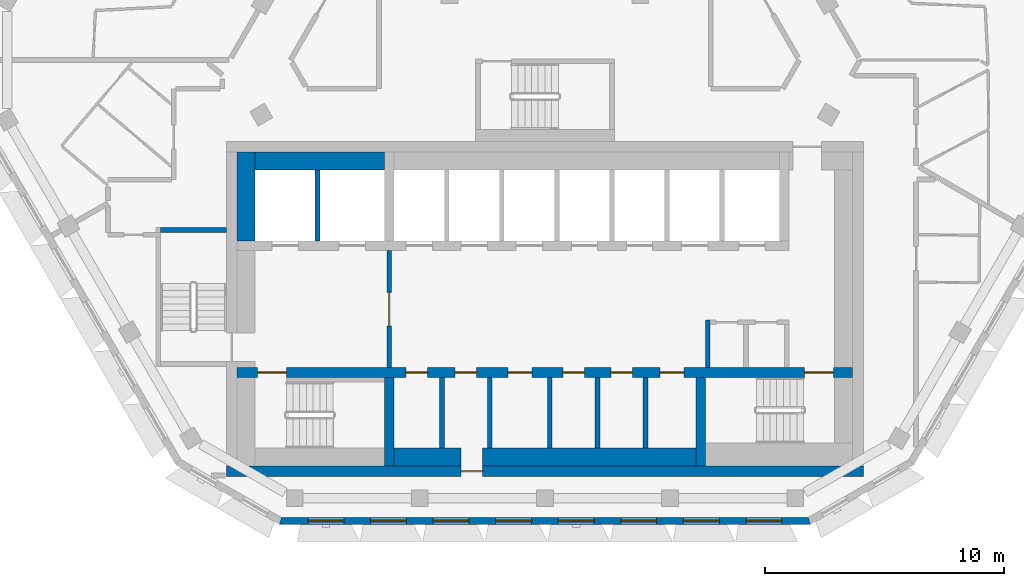
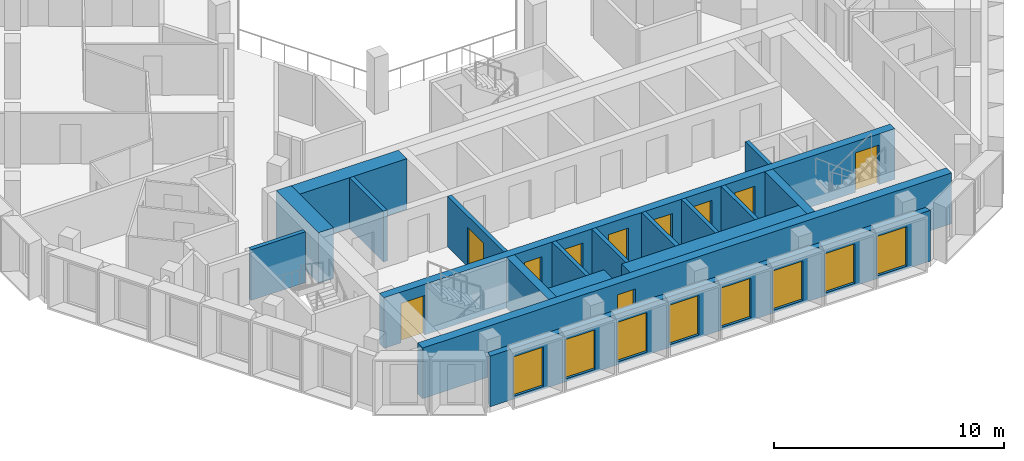
# One storey, part 3 of 16: 18 walls, 10 doors, 8 windows, 18 openings.
"""IFC4 building model written with IfcOpenShell, lengths in metres."""

import ifcopenshell
import ifcopenshell.guid

model = None  # the IFC model being written
_history = None  # IfcOwnerHistory: only IFC2X3 demands one
_inside = {}  # id of a spatial element -> (the spatial element, [elements in it])
_under = {}  # id of a project, library or spatial element -> (it, [spatial elements below it])
_declared = {}  # id of a project -> (the project, [libraries it declares])
_typed = {}  # id of a type object -> (the type object, [elements of that type])
_made_of = {}  # id of a material, layer set ... -> (it, [elements and type objects made of it])


def new_model(schema):
    """Start an empty IFC model of exactly this schema.

    Asked for "IFC4X3", IfcOpenShell would pick the latest addendum, in which some entities
    have other attributes; the version numbers below select the first issue.
    IFC2X3 requires an IfcOwnerHistory on every rooted entity: one is made here for all.
    """
    global model, _history
    if schema == "IFC4X3":
        model = ifcopenshell.file(schema_version=(4, 3, 0, 0))
    else:
        model = ifcopenshell.file(schema=schema)
    _inside.clear()
    _under.clear()
    _declared.clear()
    _typed.clear()
    _made_of.clear()
    _history = None
    if model.schema == "IFC2X3":
        org = make("IfcOrganization", Name="unknown")
        user = make(
            "IfcPersonAndOrganization",
            ThePerson=make("IfcPerson", FamilyName="unknown"),
            TheOrganization=org,
        )
        app = make(
            "IfcApplication",
            ApplicationDeveloper=org,
            Version="unknown",
            ApplicationFullName="unknown",
            ApplicationIdentifier="unknown",
        )
        _history = make(
            "IfcOwnerHistory",
            OwningUser=user,
            OwningApplication=app,
            ChangeAction="ADDED",
            CreationDate=0,
        )
    return model


def make(cls, **values):
    """One entity of the class cls with the attributes given. An attribute that is None is left unset."""
    return model.create_entity(
        cls, **{name: value for name, value in values.items() if value is not None}
    )


def rooted(cls, **values):
    """An entity with a GlobalId (a new one), such as an element, a storey or a relation."""
    return make(cls, GlobalId=ifcopenshell.guid.new(), OwnerHistory=_history, **values)


def si_unit(unit_type, name, prefix=None):
    """IfcSIUnit, for example si_unit("LENGTHUNIT", "METRE", prefix="MILLI")."""
    return make("IfcSIUnit", UnitType=unit_type, Prefix=prefix, Name=name)


def assignment(units):
    """IfcUnitAssignment: the units of a project."""
    return None if units is None else make("IfcUnitAssignment", Units=units)


def point(xyz):
    """IfcCartesianPoint."""
    return None if xyz is None else make("IfcCartesianPoint", Coordinates=xyz)


def direction(xyz):
    """IfcDirection."""
    return None if xyz is None else make("IfcDirection", DirectionRatios=xyz)


def frame(location, z_axis=None, x_axis=None):
    """IfcAxis2Placement3D, a coordinate frame: its origin and axes. An axis left out is left unset."""
    return make(
        "IfcAxis2Placement3D",
        Location=point(location),
        Axis=direction(z_axis),
        RefDirection=direction(x_axis),
    )


def frame_2d(location, x_axis=None):
    """IfcAxis2Placement2D, a coordinate frame in the plane: its origin and x axis."""
    return make(
        "IfcAxis2Placement2D", Location=point(location), RefDirection=direction(x_axis)
    )


def origin():
    """The frame at (0, 0, 0) with its axes left unset."""
    return frame((0.0, 0.0, 0.0))


def place(relative_to, where):
    """IfcLocalPlacement: puts the frame where relative to a parent placement (None: the world)."""
    return make(
        "IfcLocalPlacement", PlacementRelTo=relative_to, RelativePlacement=where
    )


def context(
    kind, dimensions, precision=None, world=None, true_north=None, identifier=None
):
    """IfcGeometricRepresentationContext, for example the 3D "Model" context."""
    return make(
        "IfcGeometricRepresentationContext",
        ContextIdentifier=identifier,
        ContextType=kind,
        CoordinateSpaceDimension=dimensions,
        Precision=precision,
        WorldCoordinateSystem=world,
        TrueNorth=true_north,
    )


def subcontext(parent, identifier, kind, view, scale=None):
    """IfcGeometricRepresentationSubContext, for example "Body" below "Model"."""
    return make(
        "IfcGeometricRepresentationSubContext",
        ContextIdentifier=identifier,
        ContextType=kind,
        ParentContext=parent,
        TargetScale=scale,
        TargetView=view,
    )


def project(units=None, contexts=None):
    """IfcProject with its units and contexts."""
    return rooted(
        "IfcProject",
        Name="project",
        RepresentationContexts=contexts,
        UnitsInContext=assignment(units),
    )


def spatial(cls, under=None, at=None, **own):
    """A site, building, storey or space (cls), placed at a placement, below another one or the project."""
    s = rooted(cls, ObjectPlacement=at, **own)
    if under is not None:
        _under.setdefault(under.id(), (under, []))[1].append(s)
    return s


def polyline(points):
    """IfcPolyline through the points."""
    return make("IfcPolyline", Points=[point(p) for p in points])


def profile(cls, at=None, kind="AREA", **sizes):
    """A parametric profile (cls). Its sizes go by their IFC names, for example OverallWidth=200.0."""
    return make(cls, ProfileType=kind, Position=at, **sizes)


def rectangle(**sizes):
    """IfcRectangleProfileDef."""
    return profile("IfcRectangleProfileDef", **sizes)


def outline(outer, holes=None, kind="AREA"):
    """IfcArbitraryClosedProfileDef: a profile drawn as a closed curve; with holes, ...WithVoids."""
    if holes is None:
        return make("IfcArbitraryClosedProfileDef", ProfileType=kind, OuterCurve=outer)
    return make(
        "IfcArbitraryProfileDefWithVoids",
        ProfileType=kind,
        OuterCurve=outer,
        InnerCurves=holes,
    )


def extrude(swept, where, along, depth):
    """IfcExtrudedAreaSolid: the profile swept, set in the frame where, extruded along a direction by depth."""
    return make(
        "IfcExtrudedAreaSolid",
        SweptArea=swept,
        Position=where,
        ExtrudedDirection=direction(along),
        Depth=depth,
    )


def shape(context_of_items, identifier, shape_type, items):
    """IfcShapeRepresentation: the items that make up one representation, for example the "Body"."""
    return make(
        "IfcShapeRepresentation",
        ContextOfItems=context_of_items,
        RepresentationIdentifier=identifier,
        RepresentationType=shape_type,
        Items=items,
    )


def material(Name=None, Category=None):
    """IfcMaterial."""
    return make("IfcMaterial", Name=Name, Category=Category)


def layer(
    of_material, thickness, ventilated=None, Name=None, Category=None, Priority=None
):
    """IfcMaterialLayer: one layer of a wall or slab, of a material (None: an air gap)."""
    return make(
        "IfcMaterialLayer",
        Material=of_material,
        LayerThickness=thickness,
        IsVentilated=ventilated,
        Name=Name,
        Category=Category,
        Priority=Priority,
    )


def layer_set(layers, Name=None):
    """IfcMaterialLayerSet."""
    return make("IfcMaterialLayerSet", MaterialLayers=layers, LayerSetName=Name)


def made_of(thing, what):
    """Note that an element or type object is made of a material, layer set ...; save() writes the relation."""
    if what is not None:
        _made_of.setdefault(what.id(), (what, []))[1].append(thing)
    return thing


def type_object(cls, material=None, **own):
    """A type object (cls), such as IfcWallType, which elements share."""
    return made_of(rooted(cls, **own), material)


def element(
    cls,
    number,
    at=None,
    inside=None,
    cuts=None,
    type_object=None,
    material=None,
    context=None,
    identifier="Body",
    shape_type=None,
    held_by="IfcProductDefinitionShape",
    body=None,
    shapes=None,
    **own,
):
    """One element of the class cls, such as IfcWall. Its Tag is "e" and its number.

    at: its placement. inside: the storey or other place that contains it. cuts: it is an
    opening in that element (IfcRelVoidsElement). A single representation is given by context,
    identifier, shape_type and body (its items); several are given by shapes. held_by: the class
    of the entity that holds the representations. save() writes the other relations.
    """
    e = rooted(cls, Tag="e%d" % number, ObjectPlacement=at, **own)
    if body is not None:
        shapes = [shape(context, identifier, shape_type, body)]
    if shapes is not None:
        e.Representation = make(held_by, Representations=shapes)
    if inside is not None:
        _inside.setdefault(inside.id(), (inside, []))[1].append(e)
    if cuts is not None:
        rooted(
            "IfcRelVoidsElement", RelatingBuildingElement=cuts, RelatedOpeningElement=e
        )
    if type_object is not None:
        _typed.setdefault(type_object.id(), (type_object, []))[1].append(e)
    return made_of(e, material)


def fill(opening, filler):
    """IfcRelFillsElement: the door or window that sits in an opening."""
    return rooted(
        "IfcRelFillsElement",
        RelatingOpeningElement=opening,
        RelatedBuildingElement=filler,
    )


def aggregate(whole, parts):
    """IfcRelAggregates: a whole, such as a stair, and the parts it consists of."""
    return rooted("IfcRelAggregates", RelatingObject=whole, RelatedObjects=parts)


def save(model, path):
    """Write the relations noted so far, then the file.

    IfcRelAggregates (storeys below a building ...), IfcRelContainedInSpatialStructure (elements
    in a storey), IfcRelDefinesByType, IfcRelAssociatesMaterial and IfcRelDeclares: one each for
    every whole, place, type object, material and project.
    """
    for whole, parts in _under.values():
        aggregate(whole, parts)
    for where, things in _inside.values():
        rooted(
            "IfcRelContainedInSpatialStructure",
            RelatedElements=things,
            RelatingStructure=where,
        )
    for kind, things in _typed.values():
        rooted("IfcRelDefinesByType", RelatedObjects=things, RelatingType=kind)
    for what, things in _made_of.values():
        rooted("IfcRelAssociatesMaterial", RelatedObjects=things, RelatingMaterial=what)
    for by, libraries in _declared.values():
        rooted("IfcRelDeclares", RelatingContext=by, RelatedDefinitions=libraries)
    model.write(path)


model = new_model("IFC4")

# Units and contexts
model_context = context("Model", 3, precision=1e-05, world=origin(), true_north=direction((0.0, 1.0)))
body_context = subcontext(model_context, "Body", "Model", "MODEL_VIEW")
ifc_project = project(units=[si_unit("LENGTHUNIT", "METRE"), si_unit("AREAUNIT", "SQUARE_METRE"), si_unit("VOLUMEUNIT", "CUBIC_METRE"), si_unit("PLANEANGLEUNIT", "RADIAN"), si_unit("MASSUNIT", "GRAM", prefix="KILO")], contexts=[model_context])

# Site, building, storey
site_placement = place(None, origin())
site = spatial("IfcSite", under=ifc_project, at=site_placement, CompositionType="ELEMENT")
building_placement = place(site_placement, origin())
building = spatial("IfcBuilding", under=site, at=building_placement, Name="Beryl Residences", CompositionType="ELEMENT")
storey_placement = place(building_placement, frame((0.0, 0.0, 226.800048828125)))
storey = spatial("IfcBuildingStorey", under=building, at=storey_placement, Name="L70", CompositionType="ELEMENT", Elevation=226.800048828125)

# Wall, openings, windows
ifc_material_1 = material(Name="Composite metal panel with mineral wool insulation")
ifc_layer_1 = layer(ifc_material_1, 0.300048828125)
ifc_layer_set_1 = layer_set([ifc_layer_1], Name="ES1 pale metal composite panel wall 300 mm")
wall_type_1 = type_object("IfcWallType", Name="ES1 pale metal composite panel wall 300 mm", PredefinedType="SOLIDWALL", material=ifc_layer_set_1)
wall_1_placement = place(storey_placement, frame((-11.0849609375, -20.85009765625, 0.0), z_axis=(0.0, 0.0, 1.0), x_axis=(1.0, 0.0, 0.0)))
wall_1 = element("IfcWall", 1, at=wall_1_placement, inside=storey, type_object=wall_type_1, Name="ES1 external wall L70 S", PredefinedType="SOLIDWALL", context=body_context, shape_type="SweptSolid", body=[
    extrude(outline(polyline([(0.0, -0.14990234375), (22.169921875, -0.14990234375), (22.089599609375, 0.14990234375), (0.080322265625, 0.14990234375), (0.0, -0.14990234375)])), origin(), (0.0, 0.0, 1.0), 2.699951171875),
])
opening_1_placement = place(wall_1_placement, frame((1.19091796875, 0.0, 0.14990234375)))
opening_1 = element("IfcOpeningElement", 2, at=opening_1_placement, cuts=wall_1, Name="Opening W1", PredefinedType="OPENING", context=body_context, shape_type="SweptSolid", body=[
    extrude(rectangle(XDim=1.5, YDim=2.10009765625, at=frame_2d((0.75, 1.050048828125))), frame((0.0, 0.159912109375, 0.0), z_axis=(0.0, -1.0, 0.0), x_axis=(1.0, 0.0, 0.0)), (0.0, 0.0, 1.0), 0.320068359375),
])
opening_2_placement = place(wall_1_placement, frame((3.803955078125, 0.0, 0.14990234375)))
opening_2 = element("IfcOpeningElement", 3, at=opening_2_placement, cuts=wall_1, Name="Opening W1", PredefinedType="OPENING", context=body_context, shape_type="SweptSolid", body=[
    extrude(rectangle(XDim=1.5, YDim=2.10009765625, at=frame_2d((0.75, 1.050048828125))), frame((0.0, 0.159912109375, 0.0), z_axis=(0.0, -1.0, 0.0), x_axis=(1.0, 0.0, 0.0)), (0.0, 0.0, 1.0), 0.320068359375),
])
opening_3_placement = place(wall_1_placement, frame((6.416015625, 0.0, 0.14990234375)))
opening_3 = element("IfcOpeningElement", 4, at=opening_3_placement, cuts=wall_1, Name="Opening W1", PredefinedType="OPENING", context=body_context, shape_type="SweptSolid", body=[
    extrude(rectangle(XDim=1.5, YDim=2.10009765625, at=frame_2d((0.75, 1.050048828125))), frame((0.0, 0.159912109375, 0.0), z_axis=(0.0, -1.0, 0.0), x_axis=(1.0, 0.0, 0.0)), (0.0, 0.0, 1.0), 0.320068359375),
])
opening_4_placement = place(wall_1_placement, frame((9.029052734375, 0.0, 0.14990234375)))
opening_4 = element("IfcOpeningElement", 5, at=opening_4_placement, cuts=wall_1, Name="Opening W1", PredefinedType="OPENING", context=body_context, shape_type="SweptSolid", body=[
    extrude(rectangle(XDim=1.5, YDim=2.10009765625, at=frame_2d((0.75, 1.050048828125))), frame((0.0, 0.159912109375, 0.0), z_axis=(0.0, -1.0, 0.0), x_axis=(1.0, 0.0, 0.0)), (0.0, 0.0, 1.0), 0.320068359375),
])
opening_5_placement = place(wall_1_placement, frame((11.64111328125, 0.0, 0.14990234375)))
opening_5 = element("IfcOpeningElement", 6, at=opening_5_placement, cuts=wall_1, Name="Opening W1", PredefinedType="OPENING", context=body_context, shape_type="SweptSolid", body=[
    extrude(rectangle(XDim=1.5, YDim=2.10009765625, at=frame_2d((0.75, 1.050048828125))), frame((0.0, 0.159912109375, 0.0), z_axis=(0.0, -1.0, 0.0), x_axis=(1.0, 0.0, 0.0)), (0.0, 0.0, 1.0), 0.320068359375),
])
opening_6_placement = place(wall_1_placement, frame((14.25390625, 0.0, 0.14990234375)))
opening_6 = element("IfcOpeningElement", 7, at=opening_6_placement, cuts=wall_1, Name="Opening W1", PredefinedType="OPENING", context=body_context, shape_type="SweptSolid", body=[
    extrude(rectangle(XDim=1.5, YDim=2.10009765625, at=frame_2d((0.75, 1.050048828125))), frame((0.0, 0.159912109375, 0.0), z_axis=(0.0, -1.0, 0.0), x_axis=(1.0, 0.0, 0.0)), (0.0, 0.0, 1.0), 0.320068359375),
])
opening_7_placement = place(wall_1_placement, frame((16.865966796875, 0.0, 0.14990234375)))
opening_7 = element("IfcOpeningElement", 8, at=opening_7_placement, cuts=wall_1, Name="Opening W1", PredefinedType="OPENING", context=body_context, shape_type="SweptSolid", body=[
    extrude(rectangle(XDim=1.5, YDim=2.10009765625, at=frame_2d((0.75, 1.050048828125))), frame((0.0, 0.159912109375, 0.0), z_axis=(0.0, -1.0, 0.0), x_axis=(1.0, 0.0, 0.0)), (0.0, 0.0, 1.0), 0.320068359375),
])
opening_8_placement = place(wall_1_placement, frame((19.47900390625, 0.0, 0.14990234375)))
opening_8 = element("IfcOpeningElement", 9, at=opening_8_placement, cuts=wall_1, Name="Opening W1", PredefinedType="OPENING", context=body_context, shape_type="SweptSolid", body=[
    extrude(rectangle(XDim=1.5, YDim=2.10009765625, at=frame_2d((0.75, 1.050048828125))), frame((0.0, 0.159912109375, 0.0), z_axis=(0.0, -1.0, 0.0), x_axis=(1.0, 0.0, 0.0)), (0.0, 0.0, 1.0), 0.320068359375),
])
ifc_material_2 = material(Name="Aluminium and clear glass", Category="aluminium")
window_type = type_object("IfcWindowType", Name="W1 cell window 1500 x 2100 mm", PartitioningType="SINGLE_PANEL", PredefinedType="WINDOW", material=ifc_material_2)
window_1_placement = place(opening_1_placement, origin())
window_1 = element("IfcWindow", 10, at=window_1_placement, inside=storey, type_object=window_type, Name="W1 window L70 S 1", OverallHeight=2.10009765625, OverallWidth=1.5, PartitioningType="SINGLE_PANEL", PredefinedType="WINDOW", context=body_context, shape_type="SweptSolid", body=[
    extrude(rectangle(XDim=1.5, YDim=2.10009765625, at=frame_2d((0.75, 1.050048828125))), frame((0.0, 0.030029296875, 0.0), z_axis=(0.0, -1.0, 0.0), x_axis=(1.0, 0.0, 0.0)), (0.0, 0.0, 1.0), 0.06005859375),
])
fill(opening_1, window_1)
window_2_placement = place(opening_2_placement, origin())
window_2 = element("IfcWindow", 11, at=window_2_placement, inside=storey, type_object=window_type, Name="W1 window L70 S 2", OverallHeight=2.10009765625, OverallWidth=1.5, PartitioningType="SINGLE_PANEL", PredefinedType="WINDOW", context=body_context, shape_type="SweptSolid", body=[
    extrude(rectangle(XDim=1.5, YDim=2.10009765625, at=frame_2d((0.75, 1.050048828125))), frame((0.0, 0.030029296875, 0.0), z_axis=(0.0, -1.0, 0.0), x_axis=(1.0, 0.0, 0.0)), (0.0, 0.0, 1.0), 0.06005859375),
])
fill(opening_2, window_2)
window_3_placement = place(opening_3_placement, origin())
window_3 = element("IfcWindow", 12, at=window_3_placement, inside=storey, type_object=window_type, Name="W1 window L70 S 3", OverallHeight=2.10009765625, OverallWidth=1.5, PartitioningType="SINGLE_PANEL", PredefinedType="WINDOW", context=body_context, shape_type="SweptSolid", body=[
    extrude(rectangle(XDim=1.5, YDim=2.10009765625, at=frame_2d((0.75, 1.050048828125))), frame((0.0, 0.030029296875, 0.0), z_axis=(0.0, -1.0, 0.0), x_axis=(1.0, 0.0, 0.0)), (0.0, 0.0, 1.0), 0.06005859375),
])
fill(opening_3, window_3)
window_4_placement = place(opening_4_placement, origin())
window_4 = element("IfcWindow", 13, at=window_4_placement, inside=storey, type_object=window_type, Name="W1 window L70 S 4", OverallHeight=2.10009765625, OverallWidth=1.5, PartitioningType="SINGLE_PANEL", PredefinedType="WINDOW", context=body_context, shape_type="SweptSolid", body=[
    extrude(rectangle(XDim=1.5, YDim=2.10009765625, at=frame_2d((0.75, 1.050048828125))), frame((0.0, 0.030029296875, 0.0), z_axis=(0.0, -1.0, 0.0), x_axis=(1.0, 0.0, 0.0)), (0.0, 0.0, 1.0), 0.06005859375),
])
fill(opening_4, window_4)
window_5_placement = place(opening_5_placement, origin())
window_5 = element("IfcWindow", 14, at=window_5_placement, inside=storey, type_object=window_type, Name="W1 window L70 S 5", OverallHeight=2.10009765625, OverallWidth=1.5, PartitioningType="SINGLE_PANEL", PredefinedType="WINDOW", context=body_context, shape_type="SweptSolid", body=[
    extrude(rectangle(XDim=1.5, YDim=2.10009765625, at=frame_2d((0.75, 1.050048828125))), frame((0.0, 0.030029296875, 0.0), z_axis=(0.0, -1.0, 0.0), x_axis=(1.0, 0.0, 0.0)), (0.0, 0.0, 1.0), 0.06005859375),
])
fill(opening_5, window_5)
window_6_placement = place(opening_6_placement, origin())
window_6 = element("IfcWindow", 15, at=window_6_placement, inside=storey, type_object=window_type, Name="W1 window L70 S 6", OverallHeight=2.10009765625, OverallWidth=1.5, PartitioningType="SINGLE_PANEL", PredefinedType="WINDOW", context=body_context, shape_type="SweptSolid", body=[
    extrude(rectangle(XDim=1.5, YDim=2.10009765625, at=frame_2d((0.75, 1.050048828125))), frame((0.0, 0.030029296875, 0.0), z_axis=(0.0, -1.0, 0.0), x_axis=(1.0, 0.0, 0.0)), (0.0, 0.0, 1.0), 0.06005859375),
])
fill(opening_6, window_6)
window_7_placement = place(opening_7_placement, origin())
window_7 = element("IfcWindow", 16, at=window_7_placement, inside=storey, type_object=window_type, Name="W1 window L70 S 7", OverallHeight=2.10009765625, OverallWidth=1.5, PartitioningType="SINGLE_PANEL", PredefinedType="WINDOW", context=body_context, shape_type="SweptSolid", body=[
    extrude(rectangle(XDim=1.5, YDim=2.10009765625, at=frame_2d((0.75, 1.050048828125))), frame((0.0, 0.030029296875, 0.0), z_axis=(0.0, -1.0, 0.0), x_axis=(1.0, 0.0, 0.0)), (0.0, 0.0, 1.0), 0.06005859375),
])
fill(opening_7, window_7)
window_8_placement = place(opening_8_placement, origin())
window_8 = element("IfcWindow", 17, at=window_8_placement, inside=storey, type_object=window_type, Name="W1 window L70 S 8", OverallHeight=2.10009765625, OverallWidth=1.5, PartitioningType="SINGLE_PANEL", PredefinedType="WINDOW", context=body_context, shape_type="SweptSolid", body=[
    extrude(rectangle(XDim=1.5, YDim=2.10009765625, at=frame_2d((0.75, 1.050048828125))), frame((0.0, 0.030029296875, 0.0), z_axis=(0.0, -1.0, 0.0), x_axis=(1.0, 0.0, 0.0)), (0.0, 0.0, 1.0), 0.06005859375),
])
fill(opening_8, window_8)

# Wall, opening, door
ifc_material_3 = material(Name="Concrete masonry", Category="masonry")
ifc_layer_2 = layer(ifc_material_3, 0.199951171875)
ifc_layer_set_2 = layer_set([ifc_layer_2], Name="PT13 lobby wall 200 mm")
wall_type_2 = type_object("IfcWallType", Name="PT13 lobby wall 200 mm", PredefinedType="PARTITIONING", material=ifc_layer_set_2)
wall_2_placement = place(storey_placement, frame((-6.5, -14.449951171875, 0.0), z_axis=(0.0, 0.0, 1.0), x_axis=(0.0, 1.0, 0.0)))
wall_2 = element("IfcWall", 18, at=wall_2_placement, inside=storey, type_object=wall_type_2, Name="Lobby wall 12", PredefinedType="PARTITIONING", context=body_context, shape_type="SweptSolid", body=[
    extrude(rectangle(XDim=4.89990234375, YDim=0.199951171875, at=frame_2d((2.449951171875, 0.0))), origin(), (0.0, 0.0, 1.0), 2.699951171875),
])
opening_9_placement = place(wall_2_placement, frame((3.14990234375, 0.0, 0.0), z_axis=(0.0, 0.0, 1.0), x_axis=(-1.0, 0.0, 0.0)))
opening_9 = element("IfcOpeningElement", 19, at=opening_9_placement, cuts=wall_2, Name="Opening FD-FFL", PredefinedType="OPENING", context=body_context, shape_type="SweptSolid", body=[
    extrude(rectangle(XDim=1.39990234375, YDim=2.10009765625, at=frame_2d((0.699951171875, 1.050048828125))), frame((0.0, 0.10986328125, 0.0), z_axis=(0.0, -1.0, 0.0), x_axis=(1.0, 0.0, 0.0)), (0.0, 0.0, 1.0), 0.219970703125),
])
ifc_material_4 = material(Name="Steel door leaf in steel frame", Category="steel")
door_type_1 = type_object("IfcDoorType", Name="D5 lobby door 1400 x 2100 mm", OperationType="DOUBLE_DOOR_SINGLE_SWING", PredefinedType="DOOR", material=ifc_material_4)
door_1_placement = place(opening_9_placement, origin())
door_1 = element("IfcDoor", 20, at=door_1_placement, inside=storey, type_object=door_type_1, Name="Door FD-FFL L70 001", OperationType="DOUBLE_DOOR_SINGLE_SWING", OverallHeight=2.10009765625, OverallWidth=1.39990234375, PredefinedType="DOOR", context=body_context, shape_type="SweptSolid", body=[
    extrude(rectangle(XDim=1.39990234375, YDim=2.10009765625, at=frame_2d((0.699951171875, 1.050048828125))), frame((0.0, 0.02490234375, 0.0), z_axis=(0.0, -1.0, 0.0), x_axis=(1.0, 0.0, 0.0)), (0.0, 0.0, 1.0), 0.050048828125),
])
fill(opening_9, door_1)

# Walls
wall_3_placement = place(storey_placement, frame((6.800048828125, -14.449951171875, 0.0), z_axis=(0.0, 0.0, 1.0), x_axis=(0.0, 1.0, 0.0)))
element("IfcWall", 21, at=wall_3_placement, inside=storey, type_object=wall_type_2, Name="Lobby wall 27", PredefinedType="PARTITIONING", context=body_context, shape_type="SweptSolid", body=[
    extrude(rectangle(XDim=2.0, YDim=0.199951171875, at=frame_2d((1.0, 0.0))), origin(), (0.0, 0.0, 1.0), 2.699951171875),
])
ifc_material_5 = material(Name="Concrete C40/50", Category="concrete")
ifc_layer_3 = layer(ifc_material_5, 0.199951171875)
ifc_layer_set_3 = layer_set([ifc_layer_3], Name="PT5 stair enclosure wall 200 mm reinforced concrete C40/50")
wall_type_3 = type_object("IfcWallType", Name="PT5 stair enclosure wall 200 mm reinforced concrete C40/50", PredefinedType="SOLIDWALL", material=ifc_layer_set_3)
wall_4_placement = place(storey_placement, frame((-16.050048828125, -8.699951171875, 0.0), z_axis=(0.0, 0.0, 1.0), x_axis=(1.0, 0.0, 0.0)))
element("IfcWall", 22, at=wall_4_placement, inside=storey, type_object=wall_type_3, Name="Stair wall 03", PredefinedType="SOLIDWALL", context=body_context, shape_type="SweptSolid", body=[
    extrude(rectangle(XDim=2.75, YDim=0.199951171875, at=frame_2d((1.375, 0.0))), origin(), (0.0, 0.0, 1.0), 2.699951171875),
])
ifc_material_6 = material(Name="Concrete C40/50", Category="concrete")
ifc_layer_4 = layer(ifc_material_6, 0.199951171875)
ifc_layer_set_4 = layer_set([ifc_layer_4], Name="PT6 lift shaft wall 200 mm reinforced concrete C40/50")
wall_type_4 = type_object("IfcWallType", Name="PT6 lift shaft wall 200 mm reinforced concrete C40/50", PredefinedType="SOLIDWALL", material=ifc_layer_set_4)
wall_5_placement = place(storey_placement, frame((-9.5, -9.14990234375, 0.0), z_axis=(0.0, 0.0, 1.0), x_axis=(0.0, 1.0, 0.0)))
element("IfcWall", 23, at=wall_5_placement, inside=storey, type_object=wall_type_4, Name="Lift shaft wall 11", PredefinedType="SOLIDWALL", context=body_context, shape_type="SweptSolid", body=[
    extrude(rectangle(XDim=2.949951171875, YDim=0.199951171875, at=frame_2d((1.47509765625, 0.0))), origin(), (0.0, 0.0, 1.0), 2.699951171875),
])
ifc_material_7 = material(Name="Concrete C40/50", Category="concrete")
ifc_layer_5 = layer(ifc_material_7, 0.75)
ifc_layer_set_5 = layer_set([ifc_layer_5], Name="PT6-750 lift shaft wall 750 mm")
wall_type_5 = type_object("IfcWallType", Name="PT6-750 lift shaft wall 750 mm", PredefinedType="SOLIDWALL", material=ifc_layer_set_5)
wall_6_placement = place(storey_placement, frame((-12.47509765625, -9.14990234375, 0.0), z_axis=(0.0, 0.0, 1.0), x_axis=(0.0, 1.0, 0.0)))
element("IfcWall", 24, at=wall_6_placement, inside=storey, type_object=wall_type_5, Name="Lift shaft wall 07", PredefinedType="SOLIDWALL", context=body_context, shape_type="SweptSolid", body=[
    extrude(rectangle(XDim=3.699951171875, YDim=0.75, at=frame_2d((1.85009765625, 0.0))), origin(), (0.0, 0.0, 1.0), 2.699951171875),
])
wall_7_placement = place(storey_placement, frame((-12.10009765625, -5.824951171875, 0.0), z_axis=(0.0, 0.0, 1.0), x_axis=(1.0, 0.0, 0.0)))
element("IfcWall", 25, at=wall_7_placement, inside=storey, type_object=wall_type_5, Name="Lift shaft wall 09", PredefinedType="SOLIDWALL", context=body_context, shape_type="SweptSolid", body=[
    extrude(rectangle(XDim=5.400146484375, YDim=0.75, at=frame_2d((2.7001953125, 0.0))), origin(), (0.0, 0.0, 1.0), 2.699951171875),
])
ifc_material_8 = material(Name="Concrete masonry", Category="masonry")
ifc_layer_6 = layer(ifc_material_8, 0.199951171875)
ifc_layer_set_6 = layer_set([ifc_layer_6], Name="PT8-200 service room wall 200 mm")
wall_type_6 = type_object("IfcWallType", Name="PT8-200 service room wall 200 mm", PredefinedType="PARTITIONING", material=ifc_layer_set_6)
for number, where, z_axis, x_axis, name in (
    (26, (-4.300048828125, -17.800048828125, 0.0), (0.0, 0.0, 1.0), (0.0, 1.0, 0.0), "Core room wall 15"),
    (27, (-2.300048828125, -17.800048828125, 0.0), (0.0, 0.0, 1.0), (0.0, 1.0, 0.0), "Core room wall 18"),
    (28, (0.199951171875, -17.800048828125, 0.0), (0.0, 0.0, 1.0), (0.0, 1.0, 0.0), "Core room wall 20"),
    (29, (2.199951171875, -17.800048828125, 0.0), (0.0, 0.0, 1.0), (0.0, 1.0, 0.0), "Core room wall 22"),
    (30, (4.199951171875, -17.800048828125, 0.0), (0.0, 0.0, 1.0), (0.0, 1.0, 0.0), "Core room wall 24"),
):
    element("IfcWall", number, at=place(storey_placement, frame(where, z_axis=z_axis, x_axis=x_axis)), inside=storey, type_object=wall_type_6, Name=name, PredefinedType="PARTITIONING", context=body_context, shape_type="SweptSolid", body=[
        extrude(rectangle(XDim=2.949951171875, YDim=0.199951171875, at=frame_2d((1.47509765625, 0.0))), origin(), (0.0, 0.0, 1.0), 2.699951171875),
    ])
ifc_material_9 = material(Name="Concrete masonry", Category="masonry")
ifc_layer_7 = layer(ifc_material_9, 0.75)
ifc_layer_set_7 = layer_set([ifc_layer_7], Name="PT8-750 service room wall 750 mm")
wall_type_7 = type_object("IfcWallType", Name="PT8-750 service room wall 750 mm", PredefinedType="PARTITIONING", material=ifc_layer_set_7)
wall_8_placement = place(storey_placement, frame((-6.300048828125, -18.175048828125, 0.0), z_axis=(0.0, 0.0, 1.0), x_axis=(1.0, 0.0, 0.0)))
element("IfcWall", 31, at=wall_8_placement, inside=storey, type_object=wall_type_7, Name="Core room wall 13", PredefinedType="PARTITIONING", context=body_context, shape_type="SweptSolid", body=[
    extrude(rectangle(XDim=2.800048828125, YDim=0.75, at=frame_2d((1.39990234375, 0.0))), origin(), (0.0, 0.0, 1.0), 2.699951171875),
])
wall_9_placement = place(storey_placement, frame((-2.60009765625, -18.175048828125, 0.0), z_axis=(0.0, 0.0, 1.0), x_axis=(1.0, 0.0, 0.0)))
element("IfcWall", 32, at=wall_9_placement, inside=storey, type_object=wall_type_7, Name="Core room wall 17", PredefinedType="PARTITIONING", context=body_context, shape_type="SweptSolid", body=[
    extrude(rectangle(XDim=8.900146484375, YDim=0.75, at=frame_2d((4.4501953125, 0.0))), origin(), (0.0, 0.0, 1.0), 2.699951171875),
])

# Wall, openings, doors
ifc_material_10 = material(Name="Concrete C50/60", Category="concrete")
ifc_layer_8 = layer(ifc_material_10, 0.39990234375)
ifc_layer_set_8 = layer_set([ifc_layer_8], Name="SW10 core internal wall 400 mm C50/60")
wall_type_8 = type_object("IfcWallType", Name="SW10 core internal wall 400 mm C50/60", PredefinedType="SHEAR", material=ifc_layer_set_8)
wall_10_placement = place(storey_placement, frame((-12.85009765625, -14.64990234375, 0.0), z_axis=(0.0, 0.0, 1.0), x_axis=(1.0, 0.0, 0.0)))
wall_10 = element("IfcWall", 33, at=wall_10_placement, inside=storey, type_object=wall_type_8, Name="Core wall SP1 L70", PredefinedType="SHEAR", context=body_context, shape_type="SweptSolid", body=[
    extrude(rectangle(XDim=25.7001953125, YDim=0.39990234375, at=frame_2d((12.85009765625, 0.0))), origin(), (0.0, 0.0, 1.0), 2.699951171875),
])
opening_10_placement = place(wall_10_placement, frame((2.050048828125, 0.0, 0.0), z_axis=(0.0, 0.0, 1.0), x_axis=(-1.0, 0.0, 0.0)))
opening_10 = element("IfcOpeningElement", 34, at=opening_10_placement, cuts=wall_10, Name="Opening SD-1", PredefinedType="OPENING", context=body_context, shape_type="SweptSolid", body=[
    extrude(rectangle(XDim=1.199951171875, YDim=2.10009765625, at=frame_2d((0.60009765625, 1.050048828125))), frame((0.0, 0.2099609375, 0.0), z_axis=(0.0, -1.0, 0.0), x_axis=(1.0, 0.0, 0.0)), (0.0, 0.0, 1.0), 0.419921875),
])
opening_11_placement = place(wall_10_placement, frame((24.89990234375, 0.0, 0.0), z_axis=(0.0, 0.0, 1.0), x_axis=(-1.0, 0.0, 0.0)))
opening_11 = element("IfcOpeningElement", 35, at=opening_11_placement, cuts=wall_10, Name="Opening SD-3", PredefinedType="OPENING", context=body_context, shape_type="SweptSolid", body=[
    extrude(rectangle(XDim=1.199951171875, YDim=2.10009765625, at=frame_2d((0.60009765625, 1.050048828125))), frame((0.0, 0.2099609375, 0.0), z_axis=(0.0, -1.0, 0.0), x_axis=(1.0, 0.0, 0.0)), (0.0, 0.0, 1.0), 0.419921875),
])
opening_12_placement = place(wall_10_placement, frame((7.949951171875, 0.0, 0.0), z_axis=(0.0, 0.0, 1.0), x_axis=(-1.0, 0.0, 0.0)))
opening_12 = element("IfcOpeningElement", 36, at=opening_12_placement, cuts=wall_10, Name="Opening CD-D-S1-900", PredefinedType="OPENING", context=body_context, shape_type="SweptSolid", body=[
    extrude(rectangle(XDim=0.89990234375, YDim=2.10009765625, at=frame_2d((0.449951171875, 1.050048828125))), frame((0.0, 0.2099609375, 0.0), z_axis=(0.0, -1.0, 0.0), x_axis=(1.0, 0.0, 0.0)), (0.0, 0.0, 1.0), 0.419921875),
])
opening_13_placement = place(wall_10_placement, frame((10.0, 0.0, 0.0), z_axis=(0.0, 0.0, 1.0), x_axis=(-1.0, 0.0, 0.0)))
opening_13 = element("IfcOpeningElement", 37, at=opening_13_placement, cuts=wall_10, Name="Opening CD-D-S2-900", PredefinedType="OPENING", context=body_context, shape_type="SweptSolid", body=[
    extrude(rectangle(XDim=0.89990234375, YDim=2.10009765625, at=frame_2d((0.449951171875, 1.050048828125))), frame((0.0, 0.2099609375, 0.0), z_axis=(0.0, -1.0, 0.0), x_axis=(1.0, 0.0, 0.0)), (0.0, 0.0, 1.0), 0.419921875),
])
opening_14_placement = place(wall_10_placement, frame((12.300048828125, 0.0, 0.0), z_axis=(0.0, 0.0, 1.0), x_axis=(-1.0, 0.0, 0.0)))
opening_14 = element("IfcOpeningElement", 38, at=opening_14_placement, cuts=wall_10, Name="Opening CD-D-S3", PredefinedType="OPENING", context=body_context, shape_type="SweptSolid", body=[
    extrude(rectangle(XDim=1.0, YDim=2.10009765625, at=frame_2d((0.5, 1.050048828125))), frame((0.0, 0.2099609375, 0.0), z_axis=(0.0, -1.0, 0.0), x_axis=(1.0, 0.0, 0.0)), (0.0, 0.0, 1.0), 0.419921875),
])
opening_15_placement = place(wall_10_placement, frame((14.5, 0.0, 0.0), z_axis=(0.0, 0.0, 1.0), x_axis=(-1.0, 0.0, 0.0)))
opening_15 = element("IfcOpeningElement", 39, at=opening_15_placement, cuts=wall_10, Name="Opening CD-D-S4-900", PredefinedType="OPENING", context=body_context, shape_type="SweptSolid", body=[
    extrude(rectangle(XDim=0.89990234375, YDim=2.10009765625, at=frame_2d((0.449951171875, 1.050048828125))), frame((0.0, 0.2099609375, 0.0), z_axis=(0.0, -1.0, 0.0), x_axis=(1.0, 0.0, 0.0)), (0.0, 0.0, 1.0), 0.419921875),
])
opening_16_placement = place(wall_10_placement, frame((16.5, 0.0, 0.0), z_axis=(0.0, 0.0, 1.0), x_axis=(-1.0, 0.0, 0.0)))
opening_16 = element("IfcOpeningElement", 40, at=opening_16_placement, cuts=wall_10, Name="Opening CD-D-S5-900", PredefinedType="OPENING", context=body_context, shape_type="SweptSolid", body=[
    extrude(rectangle(XDim=0.89990234375, YDim=2.10009765625, at=frame_2d((0.449951171875, 1.050048828125))), frame((0.0, 0.2099609375, 0.0), z_axis=(0.0, -1.0, 0.0), x_axis=(1.0, 0.0, 0.0)), (0.0, 0.0, 1.0), 0.419921875),
])
opening_17_placement = place(wall_10_placement, frame((18.64990234375, 0.0, 0.0), z_axis=(0.0, 0.0, 1.0), x_axis=(-1.0, 0.0, 0.0)))
opening_17 = element("IfcOpeningElement", 41, at=opening_17_placement, cuts=wall_10, Name="Opening CD-D-S6", PredefinedType="OPENING", context=body_context, shape_type="SweptSolid", body=[
    extrude(rectangle(XDim=1.0, YDim=2.10009765625, at=frame_2d((0.5, 1.050048828125))), frame((0.0, 0.2099609375, 0.0), z_axis=(0.0, -1.0, 0.0), x_axis=(1.0, 0.0, 0.0)), (0.0, 0.0, 1.0), 0.419921875),
])
ifc_material_11 = material(Name="Steel door leaf in steel frame", Category="steel")
door_type_2 = type_object("IfcDoorType", Name="D18 service room door 1000 x 2100 mm", OperationType="SINGLE_SWING_LEFT", PredefinedType="DOOR", material=ifc_material_11)
door_2_placement = place(opening_14_placement, origin())
door_2 = element("IfcDoor", 42, at=door_2_placement, inside=storey, type_object=door_type_2, Name="Door CD-D-S3 L70 001", OperationType="SINGLE_SWING_RIGHT", OverallHeight=2.10009765625, OverallWidth=1.0, PredefinedType="DOOR", context=body_context, shape_type="SweptSolid", body=[
    extrude(rectangle(XDim=1.0, YDim=2.10009765625, at=frame_2d((0.5, 1.050048828125))), frame((0.0, 0.02490234375, 0.0), z_axis=(0.0, -1.0, 0.0), x_axis=(1.0, 0.0, 0.0)), (0.0, 0.0, 1.0), 0.050048828125),
])
fill(opening_14, door_2)
door_3_placement = place(opening_17_placement, origin())
door_3 = element("IfcDoor", 43, at=door_3_placement, inside=storey, type_object=door_type_2, Name="Door CD-D-S6 L70 001", OperationType="SINGLE_SWING_LEFT", OverallHeight=2.10009765625, OverallWidth=1.0, PredefinedType="DOOR", context=body_context, shape_type="SweptSolid", body=[
    extrude(rectangle(XDim=1.0, YDim=2.10009765625, at=frame_2d((0.5, 1.050048828125))), frame((0.0, 0.02490234375, 0.0), z_axis=(0.0, -1.0, 0.0), x_axis=(1.0, 0.0, 0.0)), (0.0, 0.0, 1.0), 0.050048828125),
])
fill(opening_17, door_3)
ifc_material_12 = material(Name="Steel door leaf in steel frame", Category="steel")
door_type_3 = type_object("IfcDoorType", Name="D4 stair door 1200 x 2100 mm", OperationType="SINGLE_SWING_LEFT", PredefinedType="DOOR", material=ifc_material_12)
door_4_placement = place(opening_10_placement, origin())
door_4 = element("IfcDoor", 44, at=door_4_placement, inside=storey, type_object=door_type_3, Name="Door SD-1 L70 001", OperationType="SINGLE_SWING_RIGHT", OverallHeight=2.10009765625, OverallWidth=1.199951171875, PredefinedType="DOOR", context=body_context, shape_type="SweptSolid", body=[
    extrude(rectangle(XDim=1.199951171875, YDim=2.10009765625, at=frame_2d((0.60009765625, 1.050048828125))), frame((0.0, 0.02490234375, 0.0), z_axis=(0.0, -1.0, 0.0), x_axis=(1.0, 0.0, 0.0)), (0.0, 0.0, 1.0), 0.050048828125),
])
fill(opening_10, door_4)
door_5_placement = place(opening_11_placement, origin())
door_5 = element("IfcDoor", 45, at=door_5_placement, inside=storey, type_object=door_type_3, Name="Door SD-3 L70 001", OperationType="SINGLE_SWING_RIGHT", OverallHeight=2.10009765625, OverallWidth=1.199951171875, PredefinedType="DOOR", context=body_context, shape_type="SweptSolid", body=[
    extrude(rectangle(XDim=1.199951171875, YDim=2.10009765625, at=frame_2d((0.60009765625, 1.050048828125))), frame((0.0, 0.02490234375, 0.0), z_axis=(0.0, -1.0, 0.0), x_axis=(1.0, 0.0, 0.0)), (0.0, 0.0, 1.0), 0.050048828125),
])
fill(opening_11, door_5)
ifc_material_13 = material(Name="Steel door leaf in steel frame", Category="steel")
door_type_4 = type_object("IfcDoorType", Name="D6 service room door 900 x 2100 mm", OperationType="SINGLE_SWING_LEFT", PredefinedType="DOOR", material=ifc_material_13)
door_6_placement = place(opening_12_placement, origin())
door_6 = element("IfcDoor", 46, at=door_6_placement, inside=storey, type_object=door_type_4, Name="Door CD-D-S1-900 L70 001", OperationType="SINGLE_SWING_RIGHT", OverallHeight=2.10009765625, OverallWidth=0.89990234375, PredefinedType="DOOR", context=body_context, shape_type="SweptSolid", body=[
    extrude(rectangle(XDim=0.89990234375, YDim=2.10009765625, at=frame_2d((0.449951171875, 1.050048828125))), frame((0.0, 0.02490234375, 0.0), z_axis=(0.0, -1.0, 0.0), x_axis=(1.0, 0.0, 0.0)), (0.0, 0.0, 1.0), 0.050048828125),
])
fill(opening_12, door_6)
door_7_placement = place(opening_13_placement, origin())
door_7 = element("IfcDoor", 47, at=door_7_placement, inside=storey, type_object=door_type_4, Name="Door CD-D-S2-900 L70 001", OperationType="SINGLE_SWING_LEFT", OverallHeight=2.10009765625, OverallWidth=0.89990234375, PredefinedType="DOOR", context=body_context, shape_type="SweptSolid", body=[
    extrude(rectangle(XDim=0.89990234375, YDim=2.10009765625, at=frame_2d((0.449951171875, 1.050048828125))), frame((0.0, 0.02490234375, 0.0), z_axis=(0.0, -1.0, 0.0), x_axis=(1.0, 0.0, 0.0)), (0.0, 0.0, 1.0), 0.050048828125),
])
fill(opening_13, door_7)
door_8_placement = place(opening_15_placement, origin())
door_8 = element("IfcDoor", 48, at=door_8_placement, inside=storey, type_object=door_type_4, Name="Door CD-D-S4-900 L70 001", OperationType="SINGLE_SWING_LEFT", OverallHeight=2.10009765625, OverallWidth=0.89990234375, PredefinedType="DOOR", context=body_context, shape_type="SweptSolid", body=[
    extrude(rectangle(XDim=0.89990234375, YDim=2.10009765625, at=frame_2d((0.449951171875, 1.050048828125))), frame((0.0, 0.02490234375, 0.0), z_axis=(0.0, -1.0, 0.0), x_axis=(1.0, 0.0, 0.0)), (0.0, 0.0, 1.0), 0.050048828125),
])
fill(opening_15, door_8)
door_9_placement = place(opening_16_placement, origin())
door_9 = element("IfcDoor", 49, at=door_9_placement, inside=storey, type_object=door_type_4, Name="Door CD-D-S5-900 L70 001", OperationType="SINGLE_SWING_RIGHT", OverallHeight=2.10009765625, OverallWidth=0.89990234375, PredefinedType="DOOR", context=body_context, shape_type="SweptSolid", body=[
    extrude(rectangle(XDim=0.89990234375, YDim=2.10009765625, at=frame_2d((0.449951171875, 1.050048828125))), frame((0.0, 0.02490234375, 0.0), z_axis=(0.0, -1.0, 0.0), x_axis=(1.0, 0.0, 0.0)), (0.0, 0.0, 1.0), 0.050048828125),
])
fill(opening_16, door_9)

# Walls
for number, where, z_axis, x_axis, name in (
    (50, (-6.5, -18.550048828125, 0.0), (0.0, 0.0, 1.0), (0.0, 1.0, 0.0), "Core wall XS1 L70"),
    (51, (6.5, -18.550048828125, 0.0), (0.0, 0.0, 1.0), (0.0, 1.0, 0.0), "Core wall XS2 L70"),
):
    element("IfcWall", number, at=place(storey_placement, frame(where, z_axis=z_axis, x_axis=x_axis)), inside=storey, type_object=wall_type_8, Name=name, PredefinedType="SHEAR", context=body_context, shape_type="SweptSolid", body=[
        extrude(rectangle(XDim=3.699951171875, YDim=0.39990234375, at=frame_2d((1.85009765625, 0.0))), origin(), (0.0, 0.0, 1.0), 2.699951171875),
    ])

# Wall, opening, door
ifc_material_14 = material(Name="Concrete C50/60", Category="concrete")
ifc_layer_9 = layer(ifc_material_14, 0.449951171875)
ifc_layer_set_9 = layer_set([ifc_layer_9], Name="SW5 core outer wall 450 mm C50/60")
wall_type_9 = type_object("IfcWallType", Name="SW5 core outer wall 450 mm C50/60", PredefinedType="SHEAR", material=ifc_layer_set_9)
wall_11_placement = place(storey_placement, frame((-13.300048828125, -18.77490234375, 0.0), z_axis=(0.0, 0.0, 1.0), x_axis=(1.0, 0.0, 0.0)))
wall_11 = element("IfcWall", 52, at=wall_11_placement, inside=storey, type_object=wall_type_9, Name="Core wall S L70", PredefinedType="SHEAR", context=body_context, shape_type="SweptSolid", body=[
    extrude(rectangle(XDim=26.60009765625, YDim=0.449951171875, at=frame_2d((13.300048828125, 0.0))), origin(), (0.0, 0.0, 1.0), 2.699951171875),
])
opening_18_placement = place(wall_11_placement, frame((9.800048828125, 0.0, 0.0)))
opening_18 = element("IfcOpeningElement", 53, at=opening_18_placement, cuts=wall_11, Name="Opening RD-RS", PredefinedType="OPENING", context=body_context, shape_type="SweptSolid", body=[
    extrude(rectangle(XDim=0.89990234375, YDim=2.10009765625, at=frame_2d((0.449951171875, 1.050048828125))), frame((0.0, 0.23486328125, 0.0), z_axis=(0.0, -1.0, 0.0), x_axis=(1.0, 0.0, 0.0)), (0.0, 0.0, 1.0), 0.469970703125),
])
ifc_material_15 = material(Name="Steel door leaf in steel frame", Category="steel")
door_type_5 = type_object("IfcDoorType", Name="D23 riser door 900 x 2100 mm", OperationType="SINGLE_SWING_LEFT", PredefinedType="DOOR", material=ifc_material_15)
door_10_placement = place(opening_18_placement, origin())
door_10 = element("IfcDoor", 54, at=door_10_placement, inside=storey, type_object=door_type_5, Name="Door RD-RS L70 001", OperationType="SINGLE_SWING_RIGHT", OverallHeight=2.10009765625, OverallWidth=0.89990234375, PredefinedType="DOOR", context=body_context, shape_type="SweptSolid", body=[
    extrude(rectangle(XDim=0.89990234375, YDim=2.10009765625, at=frame_2d((0.449951171875, 1.050048828125))), frame((0.0, 0.02490234375, 0.0), z_axis=(0.0, -1.0, 0.0), x_axis=(1.0, 0.0, 0.0)), (0.0, 0.0, 1.0), 0.050048828125),
])
fill(opening_18, door_10)

save(model, "model.ifc")
